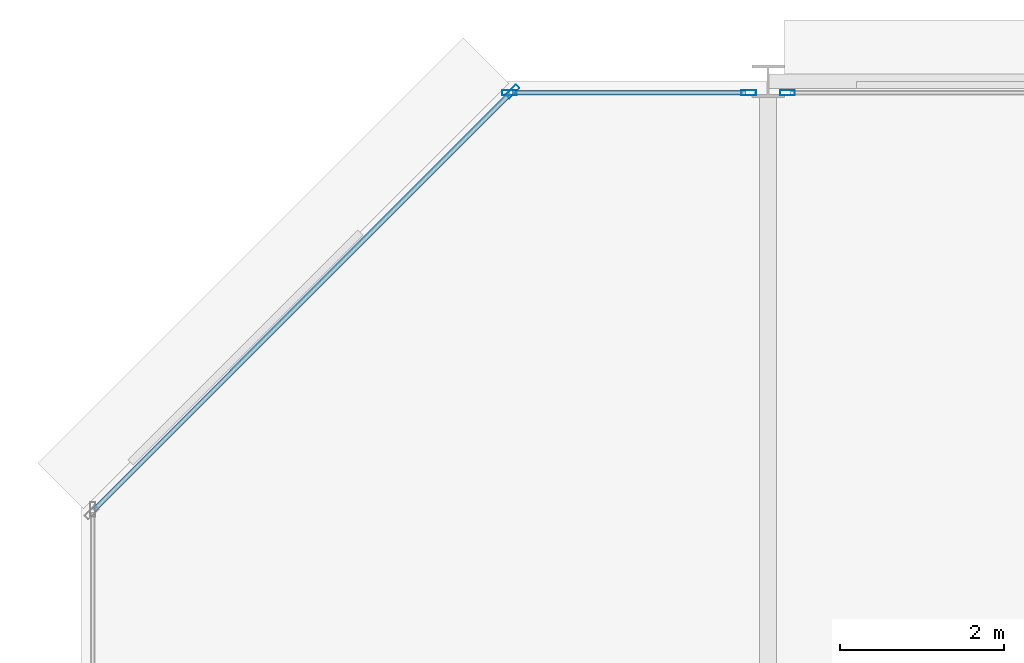
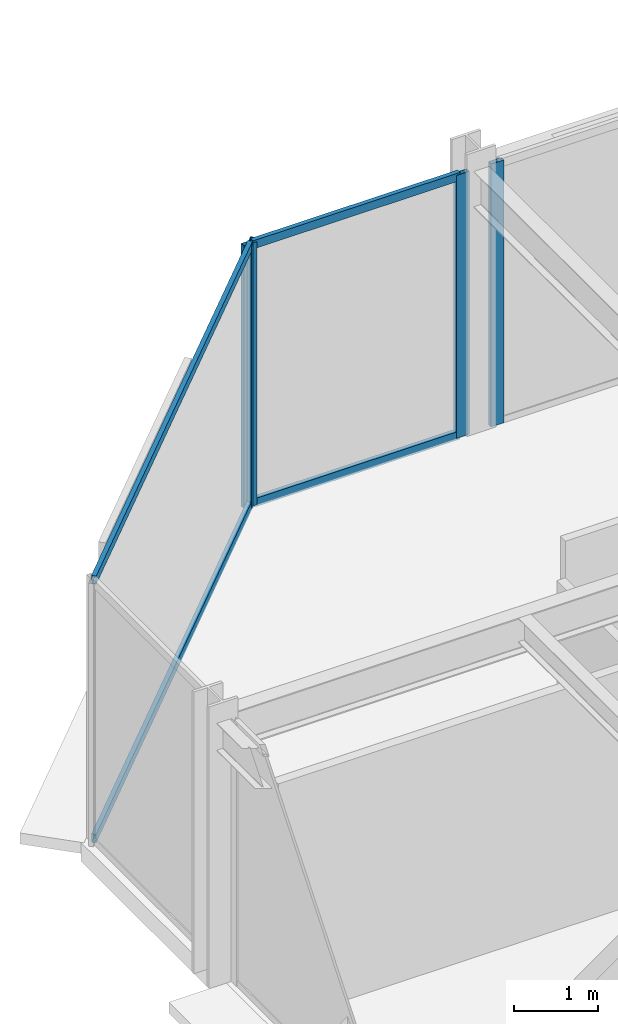
# One storey, part 21 of 30: 8 members, 3 elements without a shape of their own.
"""IFC4 building model written with IfcOpenShell, lengths in metres."""

from ifc_helpers import new_model, si_unit, direction, frame, origin, origin_2d, place, context, subcontext, project, spatial, hollow_rectangle, extrude, material, layer, layer_set, material_profile, profile_set, type_object, element, aggregate, save


model = new_model("IFC4")

# Units and contexts
model_context = context("Model", 3, precision=1e-05, world=origin(), true_north=direction((0.0, 1.0)))
body_context = subcontext(model_context, "Body", "Model", "MODEL_VIEW")
ifc_project = project(units=[si_unit("LENGTHUNIT", "METRE"), si_unit("AREAUNIT", "SQUARE_METRE"), si_unit("VOLUMEUNIT", "CUBIC_METRE"), si_unit("PLANEANGLEUNIT", "RADIAN"), si_unit("MASSUNIT", "GRAM", prefix="KILO")], contexts=[model_context])

# Site, building, storey
site_placement = place(None, origin())
site = spatial("IfcSite", under=ifc_project, at=site_placement, CompositionType="ELEMENT")
building_placement = place(site_placement, origin())
building = spatial("IfcBuilding", under=site, at=building_placement, Name="Nerrivon Quay Data Exchange", CompositionType="ELEMENT")
storey_placement = place(building_placement, frame((0.0, 0.0, 154.10009765625)))
storey = spatial("IfcBuildingStorey", under=building, at=storey_placement, Name="L36", CompositionType="ELEMENT", Elevation=154.10009765625)

# Curtain wall, member
ifc_material = material(Name="Anodised aluminium 6063-T6", Category="aluminium")
ifc_layer = layer(ifc_material, 0.2099609375)
ifc_layer_set = layer_set([ifc_layer], Name="Anodised aluminium 6063-T6")
curtain_wall_type = type_object("IfcCurtainWallType", Name="CW-SYS-02", PredefinedType="NOTDEFINED", material=ifc_layer_set)
curtain_wall_1_placement = place(storey_placement, origin())
curtain_wall_1 = element("IfcCurtainWall", 1, at=curtain_wall_1_placement, inside=storey, type_object=curtain_wall_type, Name="L36 Unitised Curtain Wall 17", PredefinedType="NOTDEFINED")
ifc_material_profile_1 = material_profile(ifc_material, hollow_rectangle(XDim=0.06494140625, YDim=0.179931640625, WallThickness=0.00341796875, at=origin_2d()), Name="ALU-MULL-180x65")
ifc_profile_set_1 = profile_set([ifc_material_profile_1], Name="Anodised aluminium 6063-T6")
member_type_1 = type_object("IfcMemberType", Name="CWM-180x65", PredefinedType="MULLION", material=ifc_profile_set_1)
member_1_placement = place(storey_placement, frame((5.2724609375, 50.2744140625, 0.0), z_axis=(0.0, 0.0, 1.0), x_axis=(-0.707106781187, 0.707106781187, 0.0)))
member_1 = element("IfcMember", 2, at=member_1_placement, type_object=member_type_1, Name="CW02 mullion 2", PredefinedType="MULLION", context=body_context, shape_type="SweptSolid", body=[
    extrude(hollow_rectangle(XDim=0.06494140625, YDim=0.179931640625, WallThickness=0.00341796875, at=origin_2d()), origin(), (0.0, 0.0, 1.0), 3.824951171875),
])

# Curtain wall, members
curtain_wall_2_placement = place(storey_placement, origin())
curtain_wall_2 = element("IfcCurtainWall", 3, at=curtain_wall_2_placement, inside=storey, type_object=curtain_wall_type, Name="L36 Unitised Curtain Wall 18", PredefinedType="NOTDEFINED")
member_2_placement = place(storey_placement, frame((5.237548828125, 50.260009765625, 0.0), z_axis=(0.0, 0.0, 1.0), x_axis=(0.0, 1.0, 0.0)))
member_2 = element("IfcMember", 4, at=member_2_placement, type_object=member_type_1, Name="CW02 mullion 1", PredefinedType="MULLION", context=body_context, shape_type="SweptSolid", body=[
    extrude(hollow_rectangle(XDim=0.06494140625, YDim=0.179931640625, WallThickness=0.00341796875, at=origin_2d()), origin(), (0.0, 0.0, 1.0), 3.824951171875),
])
member_3_placement = place(storey_placement, frame((8.16259765625, 50.260009765625, 0.0), z_axis=(0.0, 0.0, 1.0), x_axis=(0.0, 1.0, 0.0)))
member_3 = element("IfcMember", 5, at=member_3_placement, type_object=member_type_1, Name="CW02 mullion 2", PredefinedType="MULLION", context=body_context, shape_type="SweptSolid", body=[
    extrude(hollow_rectangle(XDim=0.06494140625, YDim=0.179931640625, WallThickness=0.00341796875, at=origin_2d()), origin(), (0.0, 0.0, 1.0), 3.824951171875),
])

# Curtain wall, member
curtain_wall_3_placement = place(storey_placement, origin())
curtain_wall_3 = element("IfcCurtainWall", 6, at=curtain_wall_3_placement, inside=storey, type_object=curtain_wall_type, Name="L36 Unitised Curtain Wall 19", PredefinedType="NOTDEFINED")
member_4_placement = place(storey_placement, frame((8.637451171875, 50.260009765625, 0.0), z_axis=(0.0, 0.0, 1.0), x_axis=(0.0, 1.0, 0.0)))
member_4 = element("IfcMember", 7, at=member_4_placement, type_object=member_type_1, Name="CW02 mullion 1", PredefinedType="MULLION", context=body_context, shape_type="SweptSolid", body=[
    extrude(hollow_rectangle(XDim=0.06494140625, YDim=0.179931640625, WallThickness=0.00341796875, at=origin_2d()), origin(), (0.0, 0.0, 1.0), 3.824951171875),
])
aggregate(curtain_wall_3, [member_4])

# Member
ifc_material_profile_2 = material_profile(ifc_material, hollow_rectangle(XDim=0.06005859375, YDim=0.1201171875, WallThickness=0.003173828125, at=origin_2d()), Name="ALU-TRAN-120x60")
ifc_profile_set_2 = profile_set([ifc_material_profile_2], Name="Anodised aluminium 6063-T6")
member_type_2 = type_object("IfcMemberType", Name="CWT-120x60", PredefinedType="USERDEFINED", material=ifc_profile_set_2)
member_5_placement = place(storey_placement, frame((0.152099609375, 45.154052734375, 0.032470703125), z_axis=(0.707089835771, 0.707123726196, 0.0), x_axis=(-0.707123726196, 0.707089835771, 0.0)))
member_5 = element("IfcMember", 8, at=member_5_placement, type_object=member_type_2, Name="CW02 transom 1.1", ObjectType="TRANSOM", PredefinedType="USERDEFINED", context=body_context, shape_type="SweptSolid", body=[
    extrude(hollow_rectangle(XDim=0.06005859375, YDim=0.1201171875, WallThickness=0.003173828125, at=origin_2d()), origin(), (0.0, 0.0, 1.0), 7.203857421875),
])

member_6_placement = place(storey_placement, frame((0.152099609375, 45.154052734375, 3.79248046875), z_axis=(0.707089835771, 0.707123726196, 0.0), x_axis=(-0.707123726196, 0.707089835771, 0.0)))
member_6 = element("IfcMember", 9, at=member_6_placement, type_object=member_type_2, Name="CW02 transom 1.2", ObjectType="TRANSOM", PredefinedType="USERDEFINED", context=body_context, shape_type="SweptSolid", body=[
    extrude(hollow_rectangle(XDim=0.06005859375, YDim=0.1201171875, WallThickness=0.003173828125, at=origin_2d()), origin(), (0.0, 0.0, 1.0), 7.203857421875),
])

aggregate(curtain_wall_1, [member_1, member_5, member_6])

member_7_placement = place(storey_placement, frame((5.27490234375, 50.260009765625, 0.032470703125), z_axis=(1.0, 0.0, 0.0), x_axis=(0.0, 1.0, 0.0)))
member_7 = element("IfcMember", 10, at=member_7_placement, type_object=member_type_2, Name="CW02 transom 1.1", ObjectType="TRANSOM", PredefinedType="USERDEFINED", context=body_context, shape_type="SweptSolid", body=[
    extrude(hollow_rectangle(XDim=0.06005859375, YDim=0.1201171875, WallThickness=0.003173828125, at=origin_2d()), origin(), (0.0, 0.0, 1.0), 2.85009765625),
])

member_8_placement = place(storey_placement, frame((5.27490234375, 50.260009765625, 3.79248046875), z_axis=(1.0, 0.0, 0.0), x_axis=(0.0, 1.0, 0.0)))
member_8 = element("IfcMember", 11, at=member_8_placement, type_object=member_type_2, Name="CW02 transom 1.2", ObjectType="TRANSOM", PredefinedType="USERDEFINED", context=body_context, shape_type="SweptSolid", body=[
    extrude(hollow_rectangle(XDim=0.06005859375, YDim=0.1201171875, WallThickness=0.003173828125, at=origin_2d()), origin(), (0.0, 0.0, 1.0), 2.85009765625),
])

aggregate(curtain_wall_2, [member_2, member_3, member_7, member_8])

save(model, "model.ifc")
